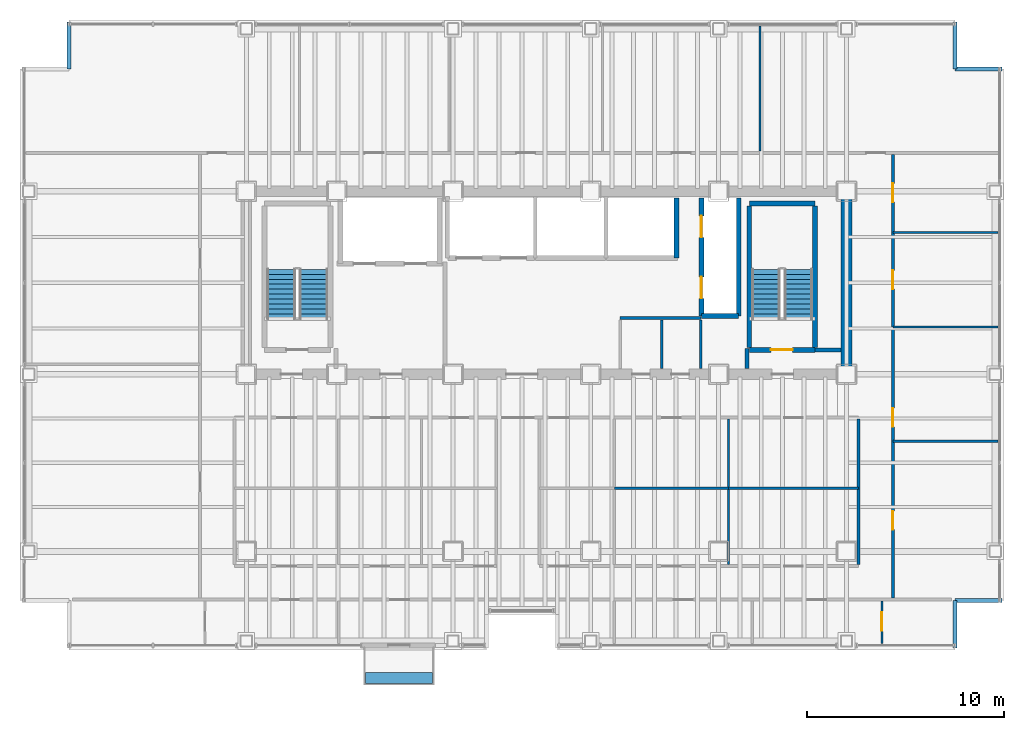
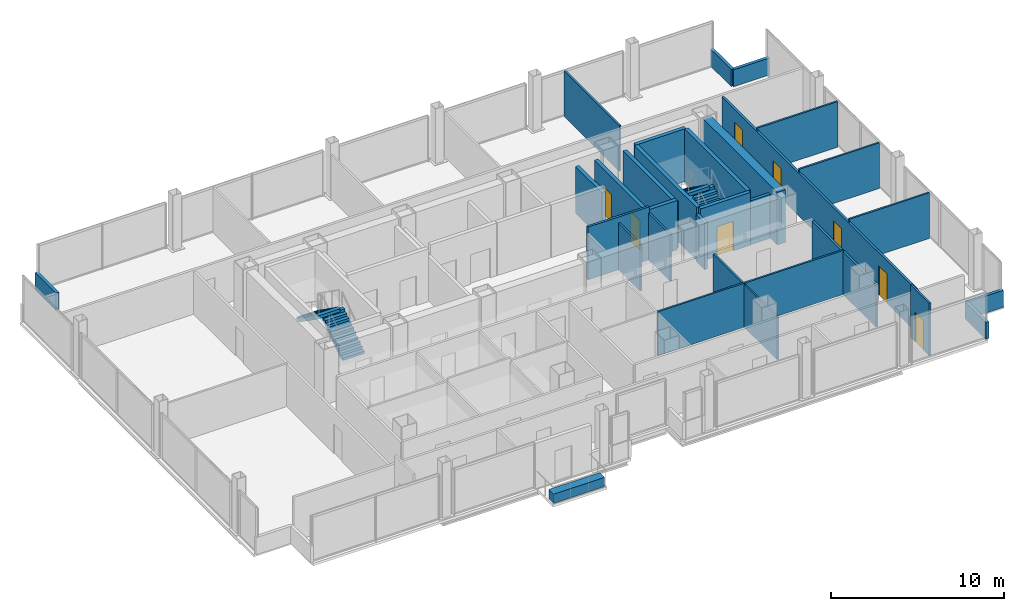
# One storey, part 20 of 21: 29 walls, 8 doors, 4 stair flights, 1 discrete accessory, 8 openings, 2 elements without a shape of their own.
"""IFC4 building model written with IfcOpenShell, lengths in metres."""

from ifc_helpers import new_model, si_unit, direction, frame, frame_2d, origin, origin_2d, place, context, subcontext, project, spatial, polyline, rectangle, outline, extrude, material, layer, layer_set, type_object, element, fill, aggregate, save


model = new_model("IFC4")

# Units and contexts
model_context = context("Model", 3, precision=1e-05, world=origin(), true_north=direction((0.0, 1.0)))
body_context = subcontext(model_context, "Body", "Model", "MODEL_VIEW")
ifc_project = project(units=[si_unit("LENGTHUNIT", "METRE"), si_unit("AREAUNIT", "SQUARE_METRE"), si_unit("VOLUMEUNIT", "CUBIC_METRE"), si_unit("PLANEANGLEUNIT", "RADIAN"), si_unit("MASSUNIT", "GRAM", prefix="KILO")], contexts=[model_context])

# Site, building, storey
site_placement = place(None, origin())
site = spatial("IfcSite", under=ifc_project, at=site_placement, CompositionType="ELEMENT")
building_placement = place(site_placement, origin())
building = spatial("IfcBuilding", under=site, at=building_placement, Name="Noeulbin Bourse Tower", CompositionType="ELEMENT")
storey_placement = place(building_placement, frame((0.0, 0.0, 46.0)))
storey = spatial("IfcBuildingStorey", under=building, at=storey_placement, Name="L11", CompositionType="ELEMENT", Elevation=46.0)

# Walls
ifc_material_1 = material(Name="Concrete C60/75", Category="concrete")
ifc_layer_1 = layer(ifc_material_1, 0.550048828125)
ifc_layer_set_1 = layer_set([ifc_layer_1], Name="Concrete C60/75")
wall_type_1 = type_object("IfcWallType", Name="WAL-CORE-550", PredefinedType="SHEAR", material=ifc_layer_set_1)
wall_1_placement = place(storey_placement, frame((44.0, 29.35009765625, 0.0), z_axis=(0.0, 0.0, 1.0), x_axis=(0.0, 1.0, 0.0)))
element("IfcWall", 1, at=wall_1_placement, inside=storey, type_object=wall_type_1, Name="Rear Core East Shear Wall L11", PredefinedType="SHEAR", context=body_context, shape_type="SweptSolid", body=[
    extrude(rectangle(XDim=8.599853515625, YDim=0.550048828125, at=frame_2d((4.2998046875, 0.0))), origin(), (0.0, 0.0, 1.0), 3.719970703125),
])
ifc_material_2 = material(Name="Concrete C40/50", Category="concrete")
ifc_layer_2 = layer(ifc_material_2, 0.199951171875)
ifc_layer_set_2 = layer_set([ifc_layer_2], Name="Concrete C40/50")
wall_type_2 = type_object("IfcWallType", Name="WAL-FIRE-200", PredefinedType="STANDARD", material=ifc_layer_set_2)
wall_2_placement = place(storey_placement, frame((42.39990234375, 30.239990234375, 0.0), z_axis=(0.0, 0.0, 1.0), x_axis=(1.0, 0.0, 0.0)))
element("IfcWall", 2, at=wall_2_placement, inside=storey, type_object=wall_type_2, Name="Interior Partition Wall L11-01", PredefinedType="STANDARD", context=body_context, shape_type="SweptSolid", body=[
    extrude(rectangle(XDim=1.315185546875, YDim=0.199951171875, at=frame_2d((0.65771484375, 0.0))), origin(), (0.0, 0.0, 1.0), 3.10009765625),
])
wall_3_placement = place(storey_placement, frame((38.949951171875, 29.284912109375, 0.0), z_axis=(0.0, 0.0, 1.0), x_axis=(0.0, 1.0, 0.0)))
element("IfcWall", 3, at=wall_3_placement, inside=storey, type_object=wall_type_2, Name="Interior Partition Wall L11-19", PredefinedType="STANDARD", context=body_context, shape_type="SweptSolid", body=[
    extrude(rectangle(XDim=1.01513671875, YDim=0.199951171875, at=frame_2d((0.507568359375, 0.0))), origin(), (0.0, 0.0, 1.0), 3.300048828125),
])
ifc_layer_3 = layer(ifc_material_2, 0.199951171875)
ifc_layer_set_3 = layer_set([ifc_layer_3], Name="Concrete C40/50")
wall_type_3 = type_object("IfcWallType", Name="WAL-PAR-200", PredefinedType="PARAPET", material=ifc_layer_set_3)
for number, where, z_axis, x_axis, name in (
    (4, (49.5, 15.10009765625, 0.0), (0.0, 0.0, 1.0), (0.0, 1.0, 0.0), "Corner Notch Parapet L11-SE1"),
    (5, (49.5, 17.5, 0.0), (0.0, 0.0, 1.0), (1.0, 0.0, 0.0), "Corner Notch Parapet L11-SE2"),
    (6, (4.5, 44.5, 0.0), (0.0, 0.0, 1.0), (0.0, 1.0, 0.0), "Corner Notch Parapet L11-NW2"),
    (7, (49.5, 46.89990234375, 0.0), (0.0, 0.0, 1.0), (0.0, -1.0, 0.0), "Corner Notch Parapet L11-NE1"),
    (8, (49.5, 44.5, 0.0), (0.0, 0.0, 1.0), (1.0, 0.0, 0.0), "Corner Notch Parapet L11-NE2"),
):
    element("IfcWall", number, at=place(storey_placement, frame(where, z_axis=z_axis, x_axis=x_axis)), inside=storey, type_object=wall_type_3, Name=name, PredefinedType="PARAPET", context=body_context, shape_type="SweptSolid", body=[
        extrude(rectangle(XDim=2.39990234375, YDim=0.199951171875, at=frame_2d((1.199951171875, 0.0))), origin(), (0.0, 0.0, 1.0), 1.199951171875),
    ])
ifc_material_3 = material(Name="Steel Stud Gypsum Partition", Category="steel")
ifc_layer_4 = layer(ifc_material_3, 0.1201171875)
ifc_layer_set_4 = layer_set([ifc_layer_4], Name="Steel Stud Gypsum Partition")
wall_type_4 = type_object("IfcWallType", Name="WAL-PRT-120", PredefinedType="PARTITIONING", material=ifc_layer_set_4)
wall_4_placement = place(storey_placement, frame((32.199951171875, 23.199951171875, 0.0), z_axis=(0.0, 0.0, 1.0), x_axis=(1.0, 0.0, 0.0)))
element("IfcWall", 9, at=wall_4_placement, inside=storey, type_object=wall_type_4, Name="Interior Partition Wall L11-11", PredefinedType="PARTITIONING", context=body_context, shape_type="SweptSolid", body=[
    extrude(rectangle(XDim=5.800048828125, YDim=0.1201171875, at=frame_2d((2.89990234375, 0.0))), origin(), (0.0, 0.0, 1.0), 3.10009765625),
])
wall_5_placement = place(storey_placement, frame((38.0, 23.199951171875, 0.0), z_axis=(0.0, 0.0, 1.0), x_axis=(1.0, 0.0, 0.0)))
element("IfcWall", 10, at=wall_5_placement, inside=storey, type_object=wall_type_4, Name="Interior Partition Wall L11-12", PredefinedType="PARTITIONING", context=body_context, shape_type="SweptSolid", body=[
    extrude(rectangle(XDim=6.60009765625, YDim=0.1201171875, at=frame_2d((3.300048828125, 0.0))), origin(), (0.0, 0.0, 1.0), 3.10009765625),
])
for number, where, z_axis, x_axis, name in (
    (11, (46.35009765625, 25.60009765625, 0.0), (0.0, 0.0, 1.0), (1.0, 0.0, 0.0), "Interior Partition Wall L11-14"),
    (12, (46.35009765625, 31.39990234375, 0.0), (0.0, 0.0, 1.0), (1.0, 0.0, 0.0), "Interior Partition Wall L11-15"),
    (13, (46.35009765625, 36.199951171875, 0.0), (0.0, 0.0, 1.0), (1.0, 0.0, 0.0), "Interior Partition Wall L11-16"),
):
    element("IfcWall", number, at=place(storey_placement, frame(where, z_axis=z_axis, x_axis=x_axis)), inside=storey, type_object=wall_type_4, Name=name, PredefinedType="PARTITIONING", context=body_context, shape_type="SweptSolid", body=[
        extrude(rectangle(XDim=5.33984375, YDim=0.1201171875, at=frame_2d((2.669921875, 0.0))), origin(), (0.0, 0.0, 1.0), 3.2119140625),
    ])
for number, where, z_axis, x_axis, name in (
    (14, (36.60009765625, 29.284912109375, 0.0), (0.0, 0.0, 1.0), (0.0, 1.0, 0.0), "Interior Partition Wall L11-22"),
    (15, (34.60009765625, 29.284912109375, 0.0), (0.0, 0.0, 1.0), (0.0, 1.0, 0.0), "Interior Partition Wall L11-23"),
):
    element("IfcWall", number, at=place(storey_placement, frame(where, z_axis=z_axis, x_axis=x_axis)), inside=storey, type_object=wall_type_4, Name=name, PredefinedType="PARTITIONING", context=body_context, shape_type="SweptSolid", body=[
        extrude(rectangle(XDim=2.47998046875, YDim=0.1201171875, at=frame_2d((1.239990234375, 0.0))), origin(), (0.0, 0.0, 1.0), 3.300048828125),
    ])

# Wall, opening, door
wall_6_placement = place(storey_placement, frame((45.800048828125, 15.31005859375, 0.0), z_axis=(0.0, 0.0, 1.0), x_axis=(0.0, 1.0, 0.0)))
wall_6 = element("IfcWall", 16, at=wall_6_placement, inside=storey, type_object=wall_type_4, Name="Interior Partition Wall L11-34", PredefinedType="PARTITIONING", context=body_context, shape_type="SweptSolid", body=[
    extrude(rectangle(XDim=2.155029296875, YDim=0.1201171875, at=frame_2d((1.07763671875, 0.0))), origin(), (0.0, 0.0, 1.0), 3.719970703125),
])
opening_1_placement = place(wall_6_placement, frame((0.64501953125, 0.0, 0.0)))
opening_1 = element("IfcOpeningElement", 17, at=opening_1_placement, cuts=wall_6, Name="Opening ID-09", PredefinedType="OPENING", context=body_context, shape_type="SweptSolid", body=[
    extrude(rectangle(XDim=0.949951171875, YDim=2.080078125, at=frame_2d((0.47509765625, 1.0400390625))), frame((0.0, 0.070068359375, 0.0), z_axis=(0.0, -1.0, 0.0), x_axis=(1.0, 0.0, 0.0)), (0.0, 0.0, 1.0), 0.14013671875),
])
ifc_material_4 = material(Name="Acoustic Solid-Core Timber", Category="wood")
door_type_1 = type_object("IfcDoorType", Name="DR-SINGLE-950", OperationType="SINGLE_SWING_LEFT", PredefinedType="DOOR", material=ifc_material_4)
door_1_placement = place(opening_1_placement, origin())
door_1 = element("IfcDoor", 18, at=door_1_placement, inside=storey, type_object=door_type_1, Name="Interior Door L11-13", OperationType="SINGLE_SWING_RIGHT", OverallHeight=2.080078125, OverallWidth=0.949951171875, PredefinedType="DOOR", context=body_context, shape_type="SweptSolid", body=[
    extrude(rectangle(XDim=0.949951171875, YDim=2.080078125, at=frame_2d((0.47509765625, 1.0400390625))), frame((0.0, 0.02490234375, 0.0), z_axis=(0.0, -1.0, 0.0), x_axis=(1.0, 0.0, 0.0)), (0.0, 0.0, 1.0), 0.050048828125),
])
fill(opening_1, door_1)

# Walls
wall_7_placement = place(storey_placement, frame((38.0, 19.3349609375, 0.0), z_axis=(0.0, 0.0, 1.0), x_axis=(0.0, 1.0, 0.0)))
element("IfcWall", 19, at=wall_7_placement, inside=storey, type_object=wall_type_4, Name="Interior Partition Wall L11-38", PredefinedType="PARTITIONING", context=body_context, shape_type="SweptSolid", body=[
    extrude(rectangle(XDim=7.380126953125, YDim=0.1201171875, at=frame_2d((3.68994140625, 0.0))), origin(), (0.0, 0.0, 1.0), 3.0),
])
wall_8_placement = place(storey_placement, frame((39.60009765625, 40.3349609375, 0.0), z_axis=(0.0, 0.0, 1.0), x_axis=(0.0, 1.0, 0.0)))
element("IfcWall", 20, at=wall_8_placement, inside=storey, type_object=wall_type_4, Name="Interior Partition Wall L11-42", PredefinedType="PARTITIONING", context=body_context, shape_type="SweptSolid", body=[
    extrude(rectangle(XDim=6.35498046875, YDim=0.1201171875, at=frame_2d((3.177490234375, 0.0))), origin(), (0.0, 0.0, 1.0), 3.2119140625),
])
ifc_material_5 = material(Name="Steel Stud Acoustic Gypsum Board", Category="steel")
ifc_layer_5 = layer(ifc_material_5, 0.14990234375)
ifc_layer_set_5 = layer_set([ifc_layer_5], Name="Steel Stud Acoustic Gypsum Board")
wall_type_5 = type_object("IfcWallType", Name="WAL-PRT-150", PredefinedType="PARTITIONING", material=ifc_layer_set_5)
wall_9_placement = place(storey_placement, frame((32.5, 31.85009765625, 0.0), z_axis=(0.0, 0.0, 1.0), x_axis=(1.0, 0.0, 0.0)))
element("IfcWall", 21, at=wall_9_placement, inside=storey, type_object=wall_type_5, Name="Interior Partition Wall L11-02", PredefinedType="PARTITIONING", context=body_context, shape_type="SweptSolid", body=[
    extrude(rectangle(XDim=4.10009765625, YDim=0.14990234375, at=frame_2d((2.050048828125, 0.0))), origin(), (0.0, 0.0, 1.0), 3.719970703125),
])

# Wall, openings, doors
wall_10_placement = place(storey_placement, frame((46.35009765625, 17.635009765625, 0.0), z_axis=(0.0, 0.0, 1.0), x_axis=(0.0, 1.0, 0.0)))
wall_10 = element("IfcWall", 22, at=wall_10_placement, inside=storey, type_object=wall_type_5, Name="Interior Partition Wall L11-28", PredefinedType="PARTITIONING", context=body_context, shape_type="SweptSolid", body=[
    extrude(rectangle(XDim=22.530029296875, YDim=0.14990234375, at=frame_2d((11.26513671875, 0.0))), origin(), (0.0, 0.0, 1.0), 3.0),
])
opening_2_placement = place(wall_10_placement, frame((3.465087890625, 0.0, 0.0)))
opening_2 = element("IfcOpeningElement", 23, at=opening_2_placement, cuts=wall_10, Name="Opening ID-09", PredefinedType="OPENING", context=body_context, shape_type="SweptSolid", body=[
    extrude(rectangle(XDim=0.949951171875, YDim=2.080078125, at=frame_2d((0.47509765625, 1.0400390625))), frame((0.0, 0.0849609375, 0.0), z_axis=(0.0, -1.0, 0.0), x_axis=(1.0, 0.0, 0.0)), (0.0, 0.0, 1.0), 0.169921875),
])
opening_3_placement = place(wall_10_placement, frame((8.68994140625, 0.0, 0.0)))
opening_3 = element("IfcOpeningElement", 24, at=opening_3_placement, cuts=wall_10, Name="Opening ID-09", PredefinedType="OPENING", context=body_context, shape_type="SweptSolid", body=[
    extrude(rectangle(XDim=0.949951171875, YDim=2.080078125, at=frame_2d((0.47509765625, 1.0400390625))), frame((0.0, 0.0849609375, 0.0), z_axis=(0.0, -1.0, 0.0), x_axis=(1.0, 0.0, 0.0)), (0.0, 0.0, 1.0), 0.169921875),
])
opening_4_placement = place(wall_10_placement, frame((15.68994140625, 0.0, 0.0)))
opening_4 = element("IfcOpeningElement", 25, at=opening_4_placement, cuts=wall_10, Name="Opening ID-09", PredefinedType="OPENING", context=body_context, shape_type="SweptSolid", body=[
    extrude(rectangle(XDim=0.949951171875, YDim=2.080078125, at=frame_2d((0.47509765625, 1.0400390625))), frame((0.0, 0.0849609375, 0.0), z_axis=(0.0, -1.0, 0.0), x_axis=(1.0, 0.0, 0.0)), (0.0, 0.0, 1.0), 0.169921875),
])
opening_5_placement = place(wall_10_placement, frame((20.114990234375, 0.0, 0.0)))
opening_5 = element("IfcOpeningElement", 26, at=opening_5_placement, cuts=wall_10, Name="Opening ID-09", PredefinedType="OPENING", context=body_context, shape_type="SweptSolid", body=[
    extrude(rectangle(XDim=0.949951171875, YDim=2.080078125, at=frame_2d((0.47509765625, 1.0400390625))), frame((0.0, 0.0849609375, 0.0), z_axis=(0.0, -1.0, 0.0), x_axis=(1.0, 0.0, 0.0)), (0.0, 0.0, 1.0), 0.169921875),
])
door_2_placement = place(opening_2_placement, origin())
door_2 = element("IfcDoor", 27, at=door_2_placement, inside=storey, type_object=door_type_1, Name="Interior Door L11-28", OperationType="SINGLE_SWING_LEFT", OverallHeight=2.080078125, OverallWidth=0.949951171875, PredefinedType="DOOR", context=body_context, shape_type="SweptSolid", body=[
    extrude(rectangle(XDim=0.949951171875, YDim=2.080078125, at=frame_2d((0.47509765625, 1.0400390625))), frame((0.0, 0.02490234375, 0.0), z_axis=(0.0, -1.0, 0.0), x_axis=(1.0, 0.0, 0.0)), (0.0, 0.0, 1.0), 0.050048828125),
])
fill(opening_2, door_2)
door_3_placement = place(opening_3_placement, origin())
door_3 = element("IfcDoor", 28, at=door_3_placement, inside=storey, type_object=door_type_1, Name="Interior Door L11-29", OperationType="SINGLE_SWING_RIGHT", OverallHeight=2.080078125, OverallWidth=0.949951171875, PredefinedType="DOOR", context=body_context, shape_type="SweptSolid", body=[
    extrude(rectangle(XDim=0.949951171875, YDim=2.080078125, at=frame_2d((0.47509765625, 1.0400390625))), frame((0.0, 0.02490234375, 0.0), z_axis=(0.0, -1.0, 0.0), x_axis=(1.0, 0.0, 0.0)), (0.0, 0.0, 1.0), 0.050048828125),
])
fill(opening_3, door_3)
door_4_placement = place(opening_4_placement, origin())
door_4 = element("IfcDoor", 29, at=door_4_placement, inside=storey, type_object=door_type_1, Name="Interior Door L11-30", OperationType="SINGLE_SWING_LEFT", OverallHeight=2.080078125, OverallWidth=0.949951171875, PredefinedType="DOOR", context=body_context, shape_type="SweptSolid", body=[
    extrude(rectangle(XDim=0.949951171875, YDim=2.080078125, at=frame_2d((0.47509765625, 1.0400390625))), frame((0.0, 0.02490234375, 0.0), z_axis=(0.0, -1.0, 0.0), x_axis=(1.0, 0.0, 0.0)), (0.0, 0.0, 1.0), 0.050048828125),
])
fill(opening_4, door_4)
door_5_placement = place(opening_5_placement, origin())
door_5 = element("IfcDoor", 30, at=door_5_placement, inside=storey, type_object=door_type_1, Name="Interior Door L11-31", OperationType="SINGLE_SWING_RIGHT", OverallHeight=2.080078125, OverallWidth=0.949951171875, PredefinedType="DOOR", context=body_context, shape_type="SweptSolid", body=[
    extrude(rectangle(XDim=0.949951171875, YDim=2.080078125, at=frame_2d((0.47509765625, 1.0400390625))), frame((0.0, 0.02490234375, 0.0), z_axis=(0.0, -1.0, 0.0), x_axis=(1.0, 0.0, 0.0)), (0.0, 0.0, 1.0), 0.050048828125),
])
fill(opening_5, door_5)

# Wall
wall_11_placement = place(storey_placement, frame((44.60009765625, 19.3349609375, 0.0), z_axis=(0.0, 0.0, 1.0), x_axis=(0.0, 1.0, 0.0)))
element("IfcWall", 31, at=wall_11_placement, inside=storey, type_object=wall_type_5, Name="Interior Partition Wall L11-29", PredefinedType="PARTITIONING", context=body_context, shape_type="SweptSolid", body=[
    extrude(rectangle(XDim=7.380126953125, YDim=0.14990234375, at=frame_2d((3.68994140625, 0.0))), origin(), (0.0, 0.0, 1.0), 3.0),
])

# Wall, opening, door
ifc_layer_6 = layer(ifc_material_2, 0.25)
ifc_layer_set_6 = layer_set([ifc_layer_6], Name="Concrete C40/50")
wall_type_6 = type_object("IfcWallType", Name="WAL-SHFT-250", PredefinedType="STANDARD", material=ifc_layer_set_6)
wall_12_placement = place(storey_placement, frame((39.06005859375, 30.235107421875, 0.0), z_axis=(0.0, 0.0, 1.0), x_axis=(1.0, 0.0, 0.0)))
wall_12 = element("IfcWall", 32, at=wall_12_placement, inside=storey, type_object=wall_type_6, Name="Stair ST-2 South Shaft Wall L11", PredefinedType="STANDARD", context=body_context, shape_type="SweptSolid", body=[
    extrude(rectangle(XDim=3.33984375, YDim=0.25, at=frame_2d((1.669921875, 0.0))), origin(), (0.0, 0.0, 1.0), 3.719970703125),
])
opening_6_placement = place(wall_12_placement, frame((1.10009765625, 0.0, 0.0)))
opening_6 = element("IfcOpeningElement", 33, at=opening_6_placement, cuts=wall_12, Name="Opening FD-11", PredefinedType="OPENING", context=body_context, shape_type="SweptSolid", body=[
    extrude(rectangle(XDim=1.10009765625, YDim=2.080078125, at=frame_2d((0.550048828125, 1.0400390625))), frame((0.0, 0.135009765625, 0.0), z_axis=(0.0, -1.0, 0.0), x_axis=(1.0, 0.0, 0.0)), (0.0, 0.0, 1.0), 0.27001953125),
])
ifc_material_6 = material(Name="Fire-Rated Insulated Steel", Category="steel")
door_type_2 = type_object("IfcDoorType", Name="DR-FD60-1100", OperationType="SINGLE_SWING_LEFT", PredefinedType="DOOR", material=ifc_material_6)
door_6_placement = place(opening_6_placement, origin())
door_6 = element("IfcDoor", 34, at=door_6_placement, inside=storey, type_object=door_type_2, Name="Protected Stair Entry Door ST2-L11", OperationType="SINGLE_SWING_LEFT", OverallHeight=2.080078125, OverallWidth=1.10009765625, PredefinedType="DOOR", context=body_context, shape_type="SweptSolid", body=[
    extrude(rectangle(XDim=1.10009765625, YDim=2.080078125, at=frame_2d((0.550048828125, 1.0400390625))), frame((0.0, 0.02490234375, 0.0), z_axis=(0.0, -1.0, 0.0), x_axis=(1.0, 0.0, 0.0)), (0.0, 0.0, 1.0), 0.050048828125),
])
fill(opening_6, door_6)

# Walls
wall_13_placement = place(storey_placement, frame((39.06005859375, 37.6689453125, 0.0), z_axis=(0.0, 0.0, 1.0), x_axis=(1.0, 0.0, 0.0)))
element("IfcWall", 35, at=wall_13_placement, inside=storey, type_object=wall_type_6, Name="Stair ST-2 North Shaft Wall L11", PredefinedType="STANDARD", context=body_context, shape_type="SweptSolid", body=[
    extrude(rectangle(XDim=3.33984375, YDim=0.25, at=frame_2d((1.669921875, 0.0))), origin(), (0.0, 0.0, 1.0), 3.719970703125),
])
for number, where, z_axis, x_axis, name in (
    (36, (39.054931640625, 30.360107421875, 0.0), (0.0, 0.0, 1.0), (0.0, 1.0, 0.0), "Stair ST-2 West Shaft Wall L11"),
    (37, (42.405029296875, 30.360107421875, 0.0), (0.0, 0.0, 1.0), (0.0, 1.0, 0.0), "Stair ST-2 East Shaft Wall L11"),
):
    element("IfcWall", number, at=place(storey_placement, frame(where, z_axis=z_axis, x_axis=x_axis)), inside=storey, type_object=wall_type_6, Name=name, PredefinedType="STANDARD", context=body_context, shape_type="SweptSolid", body=[
        extrude(rectangle(XDim=7.183837890625, YDim=0.25, at=frame_2d((3.591796875, 0.0))), origin(), (0.0, 0.0, 1.0), 3.719970703125),
    ])

# Wall, openings, doors
wall_14_placement = place(storey_placement, frame((36.6201171875, 31.949951171875, 0.0), z_axis=(0.0, 0.0, 1.0), x_axis=(0.0, 1.0, 0.0)))
wall_14 = element("IfcWall", 38, at=wall_14_placement, inside=storey, type_object=wall_type_6, Name="Service Lift Shaft Wall L11", PredefinedType="STANDARD", context=body_context, shape_type="SweptSolid", body=[
    extrude(rectangle(XDim=6.0, YDim=0.25, at=frame_2d((3.0, 0.0))), origin(), (0.0, 0.0, 1.0), 3.300048828125),
])
opening_7_placement = place(wall_14_placement, frame((0.89990234375, 0.0, 0.0)))
opening_7 = element("IfcOpeningElement", 39, at=opening_7_placement, cuts=wall_14, Name="Opening LD-11", PredefinedType="OPENING", context=body_context, shape_type="SweptSolid", body=[
    extrude(rectangle(XDim=1.10009765625, YDim=2.080078125, at=frame_2d((0.550048828125, 1.0400390625))), frame((0.0, 0.135009765625, 0.0), z_axis=(0.0, -1.0, 0.0), x_axis=(1.0, 0.0, 0.0)), (0.0, 0.0, 1.0), 0.27001953125),
])
opening_8_placement = place(wall_14_placement, frame((4.0, 0.0, 0.0)))
opening_8 = element("IfcOpeningElement", 40, at=opening_8_placement, cuts=wall_14, Name="Opening LD-11", PredefinedType="OPENING", context=body_context, shape_type="SweptSolid", body=[
    extrude(rectangle(XDim=1.10009765625, YDim=2.080078125, at=frame_2d((0.550048828125, 1.0400390625))), frame((0.0, 0.135009765625, 0.0), z_axis=(0.0, -1.0, 0.0), x_axis=(1.0, 0.0, 0.0)), (0.0, 0.0, 1.0), 0.27001953125),
])
ifc_material_7 = material(Name="Brushed Stainless Steel 316", Category="steel")
door_type_3 = type_object("IfcDoorType", Name="DR-LIFT-1100", OperationType="SLIDING_TO_LEFT", PredefinedType="DOOR", material=ifc_material_7)
door_7_placement = place(opening_7_placement, origin())
door_7 = element("IfcDoor", 41, at=door_7_placement, inside=storey, type_object=door_type_3, Name="Lift Landing Door LD-EL-01-L11", OperationType="SLIDING_TO_LEFT", OverallHeight=2.080078125, OverallWidth=1.10009765625, PredefinedType="DOOR", context=body_context, shape_type="SweptSolid", body=[
    extrude(rectangle(XDim=1.10009765625, YDim=2.080078125, at=frame_2d((0.550048828125, 1.0400390625))), frame((0.0, 0.02490234375, 0.0), z_axis=(0.0, -1.0, 0.0), x_axis=(1.0, 0.0, 0.0)), (0.0, 0.0, 1.0), 0.050048828125),
])
fill(opening_7, door_7)
door_8_placement = place(opening_8_placement, origin())
door_8 = element("IfcDoor", 42, at=door_8_placement, inside=storey, type_object=door_type_3, Name="Lift Landing Door LD-SV-01-L11", OperationType="SLIDING_TO_LEFT", OverallHeight=2.080078125, OverallWidth=1.10009765625, PredefinedType="DOOR", context=body_context, shape_type="SweptSolid", body=[
    extrude(rectangle(XDim=1.10009765625, YDim=2.080078125, at=frame_2d((0.550048828125, 1.0400390625))), frame((0.0, 0.02490234375, 0.0), z_axis=(0.0, -1.0, 0.0), x_axis=(1.0, 0.0, 0.0)), (0.0, 0.0, 1.0), 0.050048828125),
])
fill(opening_8, door_8)

# Walls
wall_15_placement = place(storey_placement, frame((38.52001953125, 31.949951171875, 0.0), z_axis=(0.0, 0.0, 1.0), x_axis=(0.0, 1.0, 0.0)))
element("IfcWall", 43, at=wall_15_placement, inside=storey, type_object=wall_type_6, Name="Service Lift East Shaft Wall L11", PredefinedType="STANDARD", context=body_context, shape_type="SweptSolid", body=[
    extrude(rectangle(XDim=6.0, YDim=0.25, at=frame_2d((3.0, 0.0))), origin(), (0.0, 0.0, 1.0), 3.300048828125),
])
wall_16_placement = place(storey_placement, frame((36.6201171875, 31.949951171875, 0.0), z_axis=(0.0, 0.0, 1.0), x_axis=(1.0, 0.0, 0.0)))
element("IfcWall", 44, at=wall_16_placement, inside=storey, type_object=wall_type_6, Name="Service Lift South Shaft Wall L11", PredefinedType="STANDARD", context=body_context, shape_type="SweptSolid", body=[
    extrude(rectangle(XDim=1.89990234375, YDim=0.25, at=frame_2d((0.949951171875, 0.0))), origin(), (0.0, 0.0, 1.0), 3.47998046875),
])
wall_17_placement = place(storey_placement, frame((35.360107421875, 34.89990234375, 0.0), z_axis=(0.0, 0.0, 1.0), x_axis=(0.0, 1.0, 0.0)))
element("IfcWall", 45, at=wall_17_placement, inside=storey, type_object=wall_type_6, Name="High-Rise Lift East Shaft Wall L11", PredefinedType="STANDARD", context=body_context, shape_type="SweptSolid", body=[
    extrude(rectangle(XDim=3.050048828125, YDim=0.25, at=frame_2d((1.52490234375, 0.0))), origin(), (0.0, 0.0, 1.0), 3.300048828125),
])

# Stair, stair flights
stair_type = type_object("IfcStairType", Name="STR-CORE-1560", PredefinedType="HALF_TURN_STAIR", material=ifc_material_2)
stair_1_placement = place(storey_placement, origin())
stair_1 = element("IfcStair", 46, at=stair_1_placement, inside=storey, type_object=stair_type, Name="L11 ST-1", PredefinedType="HALF_TURN_STAIR")
stair_flight_type = type_object("IfcStairFlightType", Name="SFL-CORE-1560", PredefinedType="STRAIGHT", material=ifc_material_2)
stair_flight_1_placement = place(storey_placement, frame((16.925048828125, 31.81005859375, 0.0), z_axis=(0.0, 0.0, 1.0), x_axis=(0.0, 1.0, 0.0)))
stair_flight_1 = element("IfcStairFlight", 47, at=stair_flight_1_placement, type_object=stair_flight_type, Name="ST-1 flight 1", NumberOfRisers=11, NumberOfTreads=10, PredefinedType="STRAIGHT", RiserHeight=0.177272727, TreadLength=0.252, context=body_context, shape_type="SweptSolid", body=[
    extrude(outline(polyline([(0.0, 0.0), (0.0, 0.17724609375), (0.251953125, 0.17724609375), (0.251953125, 0.3544921875), (0.50390625, 0.3544921875), (0.50390625, 0.53173828125), (0.756103515625, 0.53173828125), (0.756103515625, 0.708984375), (1.008056640625, 0.708984375), (1.008056640625, 0.886474609375), (1.260009765625, 0.886474609375), (1.260009765625, 1.063720703125), (1.511962890625, 1.063720703125), (1.511962890625, 1.240966796875), (1.763916015625, 1.240966796875), (1.763916015625, 1.418212890625), (2.01611328125, 1.418212890625), (2.01611328125, 1.595458984375), (2.26806640625, 1.595458984375), (2.26806640625, 1.772705078125), (2.52001953125, 1.772705078125), (2.52001953125, 1.949951171875), (2.52001953125, 1.552734375), (0.312744140625, 0.0), (0.0, 0.0)])), frame((0.0, 0.72509765625, 0.0), z_axis=(0.0, -1.0, 0.0), x_axis=(1.0, 0.0, 0.0)), (0.0, 0.0, 1.0), 1.449951171875),
])
stair_flight_2_placement = place(storey_placement, frame((15.27490234375, 34.330078125, 1.949951171875), z_axis=(0.0, 0.0, 1.0), x_axis=(0.0, -1.0, 0.0)))
stair_flight_2 = element("IfcStairFlight", 48, at=stair_flight_2_placement, type_object=stair_flight_type, Name="ST-1 flight 2", NumberOfRisers=11, NumberOfTreads=10, PredefinedType="STRAIGHT", RiserHeight=0.177272727, TreadLength=0.252, context=body_context, shape_type="SweptSolid", body=[
    extrude(outline(polyline([(0.0, 0.0), (0.0, 0.17724609375), (0.251953125, 0.17724609375), (0.251953125, 0.3544921875), (0.50390625, 0.3544921875), (0.50390625, 0.53173828125), (0.756103515625, 0.53173828125), (0.756103515625, 0.708984375), (1.008056640625, 0.708984375), (1.008056640625, 0.886474609375), (1.260009765625, 0.886474609375), (1.260009765625, 1.063720703125), (1.511962890625, 1.063720703125), (1.511962890625, 1.240966796875), (1.763916015625, 1.240966796875), (1.763916015625, 1.418212890625), (2.01611328125, 1.418212890625), (2.01611328125, 1.595458984375), (2.26806640625, 1.595458984375), (2.26806640625, 1.772705078125), (2.52001953125, 1.772705078125), (2.52001953125, 1.949951171875), (2.52001953125, 1.552734375), (0.312744140625, 0.0), (0.0, 0.0)])), frame((0.0, 0.72509765625, 0.0), z_axis=(0.0, -1.0, 0.0), x_axis=(1.0, 0.0, 0.0)), (0.0, 0.0, 1.0), 1.449951171875),
])
aggregate(stair_1, [stair_flight_1, stair_flight_2])

stair_2_placement = place(storey_placement, origin())
stair_2 = element("IfcStair", 49, at=stair_2_placement, inside=storey, type_object=stair_type, Name="L11 ST-2", PredefinedType="HALF_TURN_STAIR")
stair_flight_3_placement = place(storey_placement, frame((41.554931640625, 31.81005859375, 0.0), z_axis=(0.0, 0.0, 1.0), x_axis=(0.0, 1.0, 0.0)))
stair_flight_3 = element("IfcStairFlight", 50, at=stair_flight_3_placement, type_object=stair_flight_type, Name="ST-2 flight 1", NumberOfRisers=11, NumberOfTreads=10, PredefinedType="STRAIGHT", RiserHeight=0.177272727, TreadLength=0.252, context=body_context, shape_type="SweptSolid", body=[
    extrude(outline(polyline([(0.0, 0.0), (0.0, 0.17724609375), (0.251953125, 0.17724609375), (0.251953125, 0.3544921875), (0.50390625, 0.3544921875), (0.50390625, 0.53173828125), (0.756103515625, 0.53173828125), (0.756103515625, 0.708984375), (1.008056640625, 0.708984375), (1.008056640625, 0.886474609375), (1.260009765625, 0.886474609375), (1.260009765625, 1.063720703125), (1.511962890625, 1.063720703125), (1.511962890625, 1.240966796875), (1.763916015625, 1.240966796875), (1.763916015625, 1.418212890625), (2.01611328125, 1.418212890625), (2.01611328125, 1.595458984375), (2.26806640625, 1.595458984375), (2.26806640625, 1.772705078125), (2.52001953125, 1.772705078125), (2.52001953125, 1.949951171875), (2.52001953125, 1.552734375), (0.312744140625, 0.0), (0.0, 0.0)])), frame((0.0, 0.72509765625, 0.0), z_axis=(0.0, -1.0, 0.0), x_axis=(1.0, 0.0, 0.0)), (0.0, 0.0, 1.0), 1.449951171875),
])
stair_flight_4_placement = place(storey_placement, frame((39.905029296875, 34.330078125, 1.949951171875), z_axis=(0.0, 0.0, 1.0), x_axis=(0.0, -1.0, 0.0)))
stair_flight_4 = element("IfcStairFlight", 51, at=stair_flight_4_placement, type_object=stair_flight_type, Name="ST-2 flight 2", NumberOfRisers=11, NumberOfTreads=10, PredefinedType="STRAIGHT", RiserHeight=0.177272727, TreadLength=0.252, context=body_context, shape_type="SweptSolid", body=[
    extrude(outline(polyline([(0.0, 0.0), (0.0, 0.17724609375), (0.251953125, 0.17724609375), (0.251953125, 0.3544921875), (0.50390625, 0.3544921875), (0.50390625, 0.53173828125), (0.756103515625, 0.53173828125), (0.756103515625, 0.708984375), (1.008056640625, 0.708984375), (1.008056640625, 0.886474609375), (1.260009765625, 0.886474609375), (1.260009765625, 1.063720703125), (1.511962890625, 1.063720703125), (1.511962890625, 1.240966796875), (1.763916015625, 1.240966796875), (1.763916015625, 1.418212890625), (2.01611328125, 1.418212890625), (2.01611328125, 1.595458984375), (2.26806640625, 1.595458984375), (2.26806640625, 1.772705078125), (2.52001953125, 1.772705078125), (2.52001953125, 1.949951171875), (2.52001953125, 1.552734375), (0.312744140625, 0.0), (0.0, 0.0)])), frame((0.0, 0.72509765625, 0.0), z_axis=(0.0, -1.0, 0.0), x_axis=(1.0, 0.0, 0.0)), (0.0, 0.0, 1.0), 1.449951171875),
])
aggregate(stair_2, [stair_flight_3, stair_flight_4])

# Discrete accessory
ifc_material_8 = material(Name="Architectural GFRC Concrete C40/50", Category="concrete")
ifc_layer_7 = layer(ifc_material_8, 0.64990234375)
ifc_layer_set_7 = layer_set([ifc_layer_7], Name="Architectural GFRC Concrete C40/50")
discrete_accessory_type = type_object("IfcDiscreteAccessoryType", Name="PLANTER-BOX-3600", PredefinedType="USERDEFINED", material=ifc_layer_set_7)
discrete_accessory_placement = place(storey_placement, frame((21.25, 13.56005859375, 0.0), z_axis=(0.0, 0.0, 1.0), x_axis=(1.0, 0.0, 0.0)))
element("IfcDiscreteAccessory", 52, at=discrete_accessory_placement, inside=storey, type_object=discrete_accessory_type, Name="Integrated Balcony Tree Planter Box L11", ObjectType="PLANTER", PredefinedType="USERDEFINED", context=body_context, shape_type="SweptSolid", body=[
    extrude(rectangle(XDim=3.39990234375, YDim=0.550048828125, at=origin_2d()), origin(), (0.0, 0.0, 1.0), 0.64990234375),
])

save(model, "model.ifc")
